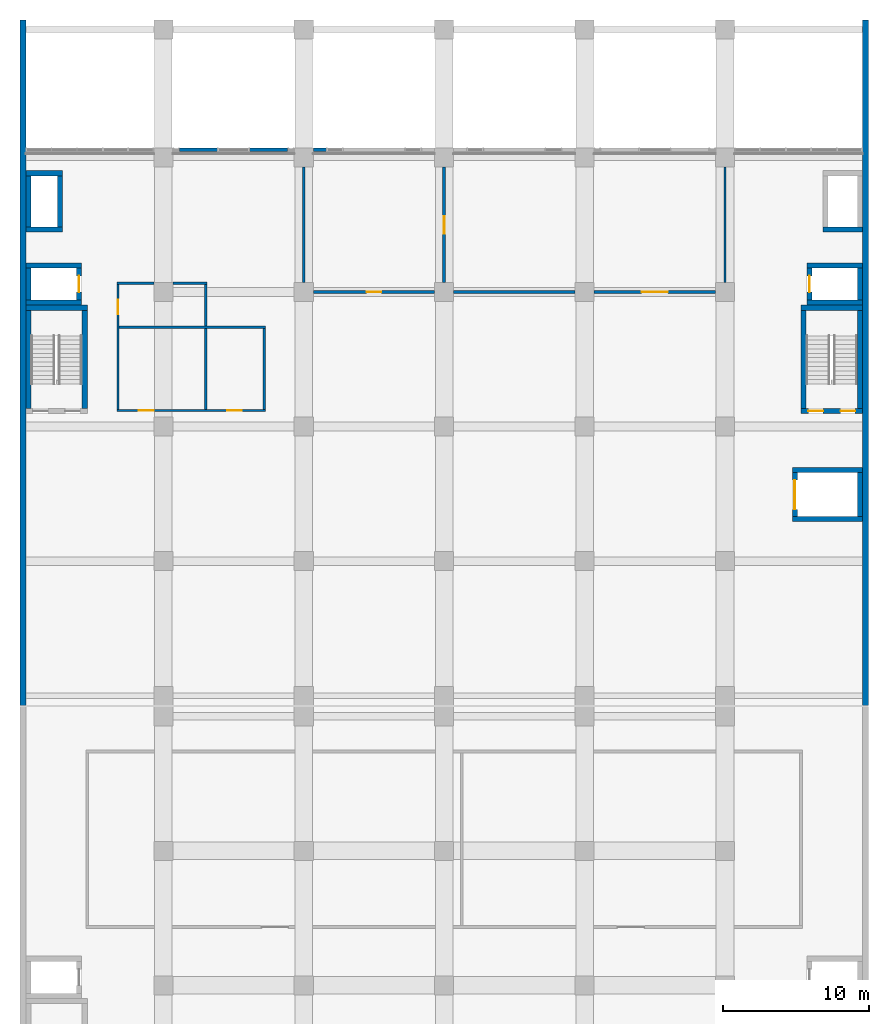
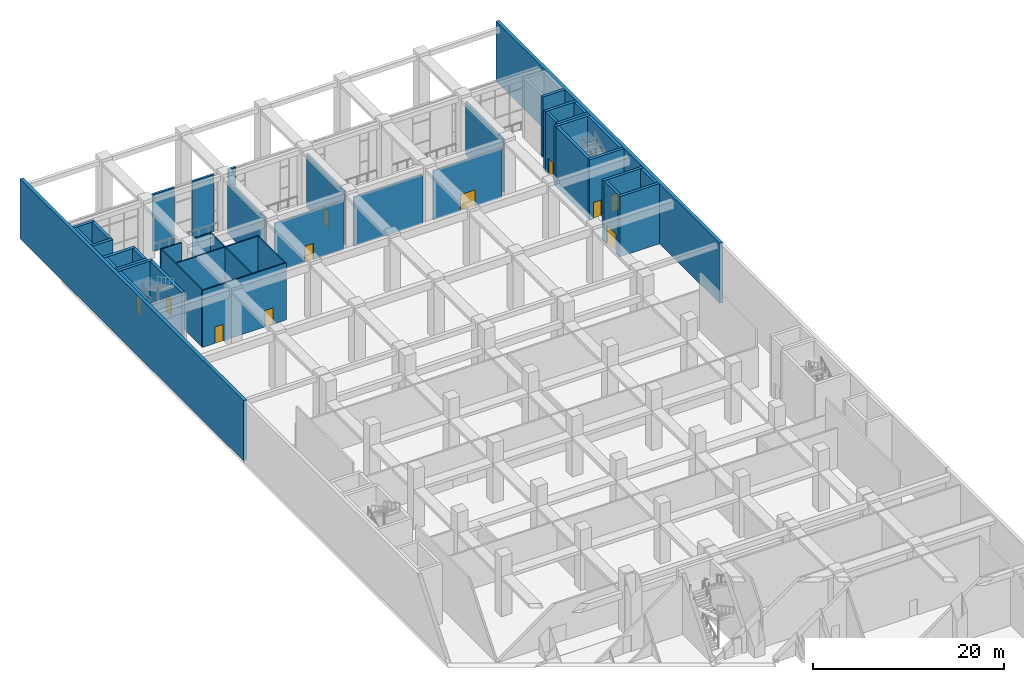
# One storey, part 16 of 33: 43 walls, 11 doors, 11 openings.
"""IFC4 building model written with IfcOpenShell, lengths in metres."""

import ifcopenshell
import ifcopenshell.guid

model = None  # the IFC model being written
_history = None  # IfcOwnerHistory: only IFC2X3 demands one
_inside = {}  # id of a spatial element -> (the spatial element, [elements in it])
_under = {}  # id of a project, library or spatial element -> (it, [spatial elements below it])
_declared = {}  # id of a project -> (the project, [libraries it declares])
_typed = {}  # id of a type object -> (the type object, [elements of that type])
_made_of = {}  # id of a material, layer set ... -> (it, [elements and type objects made of it])


def new_model(schema):
    """Start an empty IFC model of exactly this schema.

    Asked for "IFC4X3", IfcOpenShell would pick the latest addendum, in which some entities
    have other attributes; the version numbers below select the first issue.
    IFC2X3 requires an IfcOwnerHistory on every rooted entity: one is made here for all.
    """
    global model, _history
    if schema == "IFC4X3":
        model = ifcopenshell.file(schema_version=(4, 3, 0, 0))
    else:
        model = ifcopenshell.file(schema=schema)
    _inside.clear()
    _under.clear()
    _declared.clear()
    _typed.clear()
    _made_of.clear()
    _history = None
    if model.schema == "IFC2X3":
        org = make("IfcOrganization", Name="unknown")
        user = make(
            "IfcPersonAndOrganization",
            ThePerson=make("IfcPerson", FamilyName="unknown"),
            TheOrganization=org,
        )
        app = make(
            "IfcApplication",
            ApplicationDeveloper=org,
            Version="unknown",
            ApplicationFullName="unknown",
            ApplicationIdentifier="unknown",
        )
        _history = make(
            "IfcOwnerHistory",
            OwningUser=user,
            OwningApplication=app,
            ChangeAction="ADDED",
            CreationDate=0,
        )
    return model


def make(cls, **values):
    """One entity of the class cls with the attributes given. An attribute that is None is left unset."""
    return model.create_entity(
        cls, **{name: value for name, value in values.items() if value is not None}
    )


def rooted(cls, **values):
    """An entity with a GlobalId (a new one), such as an element, a storey or a relation."""
    return make(cls, GlobalId=ifcopenshell.guid.new(), OwnerHistory=_history, **values)


def si_unit(unit_type, name, prefix=None):
    """IfcSIUnit, for example si_unit("LENGTHUNIT", "METRE", prefix="MILLI")."""
    return make("IfcSIUnit", UnitType=unit_type, Prefix=prefix, Name=name)


def assignment(units):
    """IfcUnitAssignment: the units of a project."""
    return None if units is None else make("IfcUnitAssignment", Units=units)


def point(xyz):
    """IfcCartesianPoint."""
    return None if xyz is None else make("IfcCartesianPoint", Coordinates=xyz)


def direction(xyz):
    """IfcDirection."""
    return None if xyz is None else make("IfcDirection", DirectionRatios=xyz)


def frame(location, z_axis=None, x_axis=None):
    """IfcAxis2Placement3D, a coordinate frame: its origin and axes. An axis left out is left unset."""
    return make(
        "IfcAxis2Placement3D",
        Location=point(location),
        Axis=direction(z_axis),
        RefDirection=direction(x_axis),
    )


def frame_2d(location, x_axis=None):
    """IfcAxis2Placement2D, a coordinate frame in the plane: its origin and x axis."""
    return make(
        "IfcAxis2Placement2D", Location=point(location), RefDirection=direction(x_axis)
    )


def origin():
    """The frame at (0, 0, 0) with its axes left unset."""
    return frame((0.0, 0.0, 0.0))


def place(relative_to, where):
    """IfcLocalPlacement: puts the frame where relative to a parent placement (None: the world)."""
    return make(
        "IfcLocalPlacement", PlacementRelTo=relative_to, RelativePlacement=where
    )


def context(
    kind, dimensions, precision=None, world=None, true_north=None, identifier=None
):
    """IfcGeometricRepresentationContext, for example the 3D "Model" context."""
    return make(
        "IfcGeometricRepresentationContext",
        ContextIdentifier=identifier,
        ContextType=kind,
        CoordinateSpaceDimension=dimensions,
        Precision=precision,
        WorldCoordinateSystem=world,
        TrueNorth=true_north,
    )


def subcontext(parent, identifier, kind, view, scale=None):
    """IfcGeometricRepresentationSubContext, for example "Body" below "Model"."""
    return make(
        "IfcGeometricRepresentationSubContext",
        ContextIdentifier=identifier,
        ContextType=kind,
        ParentContext=parent,
        TargetScale=scale,
        TargetView=view,
    )


def project(units=None, contexts=None):
    """IfcProject with its units and contexts."""
    return rooted(
        "IfcProject",
        Name="project",
        RepresentationContexts=contexts,
        UnitsInContext=assignment(units),
    )


def spatial(cls, under=None, at=None, **own):
    """A site, building, storey or space (cls), placed at a placement, below another one or the project."""
    s = rooted(cls, ObjectPlacement=at, **own)
    if under is not None:
        _under.setdefault(under.id(), (under, []))[1].append(s)
    return s


def profile(cls, at=None, kind="AREA", **sizes):
    """A parametric profile (cls). Its sizes go by their IFC names, for example OverallWidth=200.0."""
    return make(cls, ProfileType=kind, Position=at, **sizes)


def rectangle(**sizes):
    """IfcRectangleProfileDef."""
    return profile("IfcRectangleProfileDef", **sizes)


def extrude(swept, where, along, depth):
    """IfcExtrudedAreaSolid: the profile swept, set in the frame where, extruded along a direction by depth."""
    return make(
        "IfcExtrudedAreaSolid",
        SweptArea=swept,
        Position=where,
        ExtrudedDirection=direction(along),
        Depth=depth,
    )


def shape(context_of_items, identifier, shape_type, items):
    """IfcShapeRepresentation: the items that make up one representation, for example the "Body"."""
    return make(
        "IfcShapeRepresentation",
        ContextOfItems=context_of_items,
        RepresentationIdentifier=identifier,
        RepresentationType=shape_type,
        Items=items,
    )


def material(Name=None, Category=None):
    """IfcMaterial."""
    return make("IfcMaterial", Name=Name, Category=Category)


def layer(
    of_material, thickness, ventilated=None, Name=None, Category=None, Priority=None
):
    """IfcMaterialLayer: one layer of a wall or slab, of a material (None: an air gap)."""
    return make(
        "IfcMaterialLayer",
        Material=of_material,
        LayerThickness=thickness,
        IsVentilated=ventilated,
        Name=Name,
        Category=Category,
        Priority=Priority,
    )


def layer_set(layers, Name=None):
    """IfcMaterialLayerSet."""
    return make("IfcMaterialLayerSet", MaterialLayers=layers, LayerSetName=Name)


def layer_usage(for_layer_set, set_direction, sense, offset, extent=None):
    """IfcMaterialLayerSetUsage: how a layer set lies in its element."""
    return make(
        "IfcMaterialLayerSetUsage",
        ForLayerSet=for_layer_set,
        LayerSetDirection=set_direction,
        DirectionSense=sense,
        OffsetFromReferenceLine=offset,
        ReferenceExtent=extent,
    )


def made_of(thing, what):
    """Note that an element or type object is made of a material, layer set ...; save() writes the relation."""
    if what is not None:
        _made_of.setdefault(what.id(), (what, []))[1].append(thing)
    return thing


def type_object(cls, material=None, **own):
    """A type object (cls), such as IfcWallType, which elements share."""
    return made_of(rooted(cls, **own), material)


def element(
    cls,
    number,
    at=None,
    inside=None,
    cuts=None,
    type_object=None,
    material=None,
    context=None,
    identifier="Body",
    shape_type=None,
    held_by="IfcProductDefinitionShape",
    body=None,
    shapes=None,
    **own,
):
    """One element of the class cls, such as IfcWall. Its Tag is "e" and its number.

    at: its placement. inside: the storey or other place that contains it. cuts: it is an
    opening in that element (IfcRelVoidsElement). A single representation is given by context,
    identifier, shape_type and body (its items); several are given by shapes. held_by: the class
    of the entity that holds the representations. save() writes the other relations.
    """
    e = rooted(cls, Tag="e%d" % number, ObjectPlacement=at, **own)
    if body is not None:
        shapes = [shape(context, identifier, shape_type, body)]
    if shapes is not None:
        e.Representation = make(held_by, Representations=shapes)
    if inside is not None:
        _inside.setdefault(inside.id(), (inside, []))[1].append(e)
    if cuts is not None:
        rooted(
            "IfcRelVoidsElement", RelatingBuildingElement=cuts, RelatedOpeningElement=e
        )
    if type_object is not None:
        _typed.setdefault(type_object.id(), (type_object, []))[1].append(e)
    return made_of(e, material)


def fill(opening, filler):
    """IfcRelFillsElement: the door or window that sits in an opening."""
    return rooted(
        "IfcRelFillsElement",
        RelatingOpeningElement=opening,
        RelatedBuildingElement=filler,
    )


def aggregate(whole, parts):
    """IfcRelAggregates: a whole, such as a stair, and the parts it consists of."""
    return rooted("IfcRelAggregates", RelatingObject=whole, RelatedObjects=parts)


def save(model, path):
    """Write the relations noted so far, then the file.

    IfcRelAggregates (storeys below a building ...), IfcRelContainedInSpatialStructure (elements
    in a storey), IfcRelDefinesByType, IfcRelAssociatesMaterial and IfcRelDeclares: one each for
    every whole, place, type object, material and project.
    """
    for whole, parts in _under.values():
        aggregate(whole, parts)
    for where, things in _inside.values():
        rooted(
            "IfcRelContainedInSpatialStructure",
            RelatedElements=things,
            RelatingStructure=where,
        )
    for kind, things in _typed.values():
        rooted("IfcRelDefinesByType", RelatedObjects=things, RelatingType=kind)
    for what, things in _made_of.values():
        rooted("IfcRelAssociatesMaterial", RelatedObjects=things, RelatingMaterial=what)
    for by, libraries in _declared.values():
        rooted("IfcRelDeclares", RelatingContext=by, RelatedDefinitions=libraries)
    model.write(path)


model = new_model("IFC4")

# Units and contexts
model_context = context("Model", 3, precision=1e-05, world=origin(), true_north=direction((0.0, 1.0)))
body_context = subcontext(model_context, "Body", "Model", "MODEL_VIEW")
ifc_project = project(units=[si_unit("LENGTHUNIT", "METRE"), si_unit("AREAUNIT", "SQUARE_METRE"), si_unit("VOLUMEUNIT", "CUBIC_METRE"), si_unit("PLANEANGLEUNIT", "RADIAN"), si_unit("MASSUNIT", "GRAM", prefix="KILO")], contexts=[model_context])

# Site, building, storey
site_placement = place(None, origin())
site = spatial("IfcSite", under=ifc_project, at=site_placement, CompositionType="ELEMENT")
building_placement = place(site_placement, origin())
building = spatial("IfcBuilding", under=site, at=building_placement, Name="Nzadi Deep Aquarium and Research Tower", CompositionType="ELEMENT")
storey_placement = place(building_placement, frame((0.0, 0.0, 6.5)))
storey = spatial("IfcBuildingStorey", under=building, at=storey_placement, Name="L01", CompositionType="ELEMENT", Elevation=6.5)

# Walls
ifc_material_1 = material(Name="Concrete C35/45", Category="concrete")
ifc_layer_1 = layer(ifc_material_1, 0.199951171875, Category="cladding")
ifc_material_2 = material(Name="Mineral wool insulation")
ifc_layer_2 = layer(ifc_material_2, 0.050048828125, Category="insulation")
ifc_layer_set_1 = layer_set([ifc_layer_1, ifc_layer_2], Name="Concrete C35/45, Mineral wool insulation")
ifc_layer_usage_1 = layer_usage(ifc_layer_set_1, "AXIS2", "POSITIVE", -0.125)
wall_type_1 = type_object("IfcWallType", Name="Entrance pier wall stone clad 250", PredefinedType="ELEMENTEDWALL", material=ifc_layer_set_1)
wall_1_placement = place(storey_placement, frame((13.300048828125, 132.125, 0.0), z_axis=(0.0, 0.0, 1.0), x_axis=(-1.0, 0.0, 0.0)))
element("IfcWall", 1, at=wall_1_placement, inside=storey, type_object=wall_type_1, material=ifc_layer_usage_1, Name="Entrance pier L01", PredefinedType="ELEMENTEDWALL", context=body_context, shape_type="SweptSolid", body=[
    extrude(rectangle(XDim=2.60009765625, YDim=0.25, at=frame_2d((1.300048828125, 0.0))), origin(), (0.0, 0.0, 1.0), 7.2900390625),
])
ifc_layer_usage_2 = layer_usage(ifc_layer_set_1, "AXIS2", "POSITIVE", -0.125)
wall_2_placement = place(storey_placement, frame((18.10009765625, 132.125, 0.0), z_axis=(0.0, 0.0, 1.0), x_axis=(-1.0, 0.0, 0.0)))
element("IfcWall", 2, at=wall_2_placement, inside=storey, type_object=wall_type_1, material=ifc_layer_usage_2, Name="Entrance pier L01", PredefinedType="ELEMENTEDWALL", context=body_context, shape_type="SweptSolid", body=[
    extrude(rectangle(XDim=2.60009765625, YDim=0.25, at=frame_2d((1.300048828125, 0.0))), origin(), (0.0, 0.0, 1.0), 7.2900390625),
])
ifc_material_3 = material(Name="Marine blue glazed ceramic")
ifc_layer_3 = layer(ifc_material_3, 0.050048828125, Category="cladding")
ifc_layer_4 = layer(ifc_material_1, 0.199951171875, Category="structure")
ifc_layer_set_2 = layer_set([ifc_layer_3, ifc_layer_4], Name="Marine blue glazed ceramic, Concrete C35/45")
ifc_layer_usage_3 = layer_usage(ifc_layer_set_2, "AXIS2", "POSITIVE", -0.125)
wall_type_2 = type_object("IfcWallType", Name="Entrance portal wall graphite shingle 250", PredefinedType="ELEMENTEDWALL", material=ifc_layer_set_2)
wall_3_placement = place(storey_placement, frame((20.75, 132.125, 0.0), z_axis=(0.0, 0.0, 1.0), x_axis=(-1.0, 0.0, 0.0)))
element("IfcWall", 3, at=wall_3_placement, inside=storey, type_object=wall_type_2, material=ifc_layer_usage_3, Name="Entrance pier L01", PredefinedType="ELEMENTEDWALL", context=body_context, shape_type="SweptSolid", body=[
    extrude(rectangle(XDim=0.89990234375, YDim=0.25, at=frame_2d((0.449951171875, 0.0))), origin(), (0.0, 0.0, 1.0), 7.2900390625),
])
ifc_material_4 = material(Name="Blockwork masonry", Category="masonry")
ifc_layer_5 = layer(ifc_material_4, 0.14990234375)
ifc_layer_set_3 = layer_set([ifc_layer_5], Name="Blockwork masonry")
wall_type_3 = type_object("IfcWallType", Name="Partition 150 EI 60, 6.89 m high", PredefinedType="PARTITIONING", material=ifc_layer_set_3)
wall_4_placement = place(storey_placement, frame((48.0, 123.050048828125, 0.0), z_axis=(0.0, 0.0, 1.0), x_axis=(0.0, 1.0, 0.0)))
element("IfcWall", 4, at=wall_4_placement, inside=storey, type_object=wall_type_3, Name="W-Z3-L01-P014", PredefinedType="PARTITIONING", context=body_context, shape_type="SweptSolid", body=[
    extrude(rectangle(XDim=7.89990234375, YDim=0.14990234375, at=frame_2d((3.949951171875, 0.0))), origin(), (0.0, 0.0, 1.0), 6.889892578125),
])

# Wall, openings, doors
ifc_material_5 = material(Name="Blockwork masonry", Category="masonry")
ifc_layer_6 = layer(ifc_material_5, 0.14990234375)
ifc_layer_set_4 = layer_set([ifc_layer_6], Name="Blockwork masonry")
wall_type_4 = type_object("IfcWallType", Name="Partition 150 EI 60, 7.29 m high", PredefinedType="PARTITIONING", material=ifc_layer_set_4)
wall_5_placement = place(storey_placement, frame((6.425048828125, 114.300048828125, 0.0), z_axis=(0.0, 0.0, 1.0), x_axis=(1.0, 0.0, 0.0)))
wall_5 = element("IfcWall", 5, at=wall_5_placement, inside=storey, type_object=wall_type_4, Name="W-Z3-L01-P001", PredefinedType="PARTITIONING", context=body_context, shape_type="SweptSolid", body=[
    extrude(rectangle(XDim=10.14990234375, YDim=0.14990234375, at=frame_2d((5.074951171875, 0.0))), origin(), (0.0, 0.0, 1.0), 7.2900390625),
])
opening_1_placement = place(wall_5_placement, frame((1.510009765625, 0.0, 0.0)))
opening_1 = element("IfcOpeningElement", 6, at=opening_1_placement, cuts=wall_5, Name="Opening D023001", PredefinedType="OPENING", context=body_context, shape_type="SweptSolid", body=[
    extrude(rectangle(XDim=1.0, YDim=2.10009765625, at=frame_2d((0.5, 1.050048828125))), frame((0.0, 0.0849609375, 0.0), z_axis=(0.0, -1.0, 0.0), x_axis=(1.0, 0.0, 0.0)), (0.0, 0.0, 1.0), 0.169921875),
])
opening_2_placement = place(wall_5_placement, frame((7.5400390625, 0.0, 0.0)))
opening_2 = element("IfcOpeningElement", 7, at=opening_2_placement, cuts=wall_5, Name="Opening D023002", PredefinedType="OPENING", context=body_context, shape_type="SweptSolid", body=[
    extrude(rectangle(XDim=1.0, YDim=2.10009765625, at=frame_2d((0.5, 1.050048828125))), frame((0.0, 0.0849609375, 0.0), z_axis=(0.0, -1.0, 0.0), x_axis=(1.0, 0.0, 0.0)), (0.0, 0.0, 1.0), 0.169921875),
])
ifc_material_6 = material(Name="Fire-rated steel door", Category="steel")
ifc_layer_7 = layer(ifc_material_6, 0.050048828125)
ifc_layer_set_5 = layer_set([ifc_layer_7], Name="Fire-rated steel door")
door_type_1 = type_object("IfcDoorType", Name="Door 1000x2100 EI 60 single", OperationType="SINGLE_SWING_LEFT", PredefinedType="DOOR", material=ifc_layer_set_5)
door_1_placement = place(opening_1_placement, origin())
door_1 = element("IfcDoor", 8, at=door_1_placement, inside=storey, type_object=door_type_1, Name="D023001", OperationType="SINGLE_SWING_LEFT", OverallHeight=2.10009765625, OverallWidth=1.0, PredefinedType="DOOR", context=body_context, shape_type="SweptSolid", body=[
    extrude(rectangle(XDim=1.0, YDim=2.10009765625, at=frame_2d((0.5, 1.050048828125))), frame((0.0, 0.02490234375, 0.0), z_axis=(0.0, -1.0, 0.0), x_axis=(1.0, 0.0, 0.0)), (0.0, 0.0, 1.0), 0.050048828125),
])
fill(opening_1, door_1)
door_2_placement = place(opening_2_placement, origin())
door_2 = element("IfcDoor", 9, at=door_2_placement, inside=storey, type_object=door_type_1, Name="D023002", OperationType="SINGLE_SWING_RIGHT", OverallHeight=2.10009765625, OverallWidth=1.0, PredefinedType="DOOR", context=body_context, shape_type="SweptSolid", body=[
    extrude(rectangle(XDim=1.0, YDim=2.10009765625, at=frame_2d((0.5, 1.050048828125))), frame((0.0, 0.02490234375, 0.0), z_axis=(0.0, -1.0, 0.0), x_axis=(1.0, 0.0, 0.0)), (0.0, 0.0, 1.0), 0.050048828125),
])
fill(opening_2, door_2)

# Wall, opening, door
wall_6_placement = place(storey_placement, frame((6.5, 114.375, 0.0), z_axis=(0.0, 0.0, 1.0), x_axis=(0.0, 1.0, 0.0)))
wall_6 = element("IfcWall", 10, at=wall_6_placement, inside=storey, type_object=wall_type_4, Name="W-Z3-L01-P002", PredefinedType="PARTITIONING", context=body_context, shape_type="SweptSolid", body=[
    extrude(rectangle(XDim=8.550048828125, YDim=0.14990234375, at=frame_2d((4.27490234375, 0.0))), origin(), (0.0, 0.0, 1.0), 7.2900390625),
])
opening_3_placement = place(wall_6_placement, frame((6.514892578125, 0.0, 0.0)))
opening_3 = element("IfcOpeningElement", 11, at=opening_3_placement, cuts=wall_6, Name="Opening D023003", PredefinedType="OPENING", context=body_context, shape_type="SweptSolid", body=[
    extrude(rectangle(XDim=1.0, YDim=2.10009765625, at=frame_2d((0.5, 1.050048828125))), frame((0.0, 0.0849609375, 0.0), z_axis=(0.0, -1.0, 0.0), x_axis=(1.0, 0.0, 0.0)), (0.0, 0.0, 1.0), 0.169921875),
])
door_3_placement = place(opening_3_placement, origin())
door_3 = element("IfcDoor", 12, at=door_3_placement, inside=storey, type_object=door_type_1, Name="D023003", OperationType="SINGLE_SWING_LEFT", OverallHeight=2.10009765625, OverallWidth=1.0, PredefinedType="DOOR", context=body_context, shape_type="SweptSolid", body=[
    extrude(rectangle(XDim=1.0, YDim=2.10009765625, at=frame_2d((0.5, 1.050048828125))), frame((0.0, 0.02490234375, 0.0), z_axis=(0.0, -1.0, 0.0), x_axis=(1.0, 0.0, 0.0)), (0.0, 0.0, 1.0), 0.050048828125),
])
fill(opening_3, door_3)

# Walls
wall_7_placement = place(storey_placement, frame((6.425048828125, 123.0, 0.0), z_axis=(0.0, 0.0, 1.0), x_axis=(1.0, 0.0, 0.0)))
element("IfcWall", 13, at=wall_7_placement, inside=storey, type_object=wall_type_4, Name="W-Z3-L01-P003", PredefinedType="PARTITIONING", context=body_context, shape_type="SweptSolid", body=[
    extrude(rectangle(XDim=2.52490234375, YDim=0.14990234375, at=frame_2d((1.262451171875, 0.0))), origin(), (0.0, 0.0, 1.0), 7.2900390625),
])
wall_8_placement = place(storey_placement, frame((6.574951171875, 120.0, 0.0), z_axis=(0.0, 0.0, 1.0), x_axis=(1.0, 0.0, 0.0)))
element("IfcWall", 14, at=wall_8_placement, inside=storey, type_object=wall_type_4, Name="W-Z3-L01-P004", PredefinedType="PARTITIONING", context=body_context, shape_type="SweptSolid", body=[
    extrude(rectangle(XDim=10.0, YDim=0.14990234375, at=frame_2d((5.0, 0.0))), origin(), (0.0, 0.0, 1.0), 7.2900390625),
])
wall_9_placement = place(storey_placement, frame((10.25, 123.0, 0.0), z_axis=(0.0, 0.0, 1.0), x_axis=(1.0, 0.0, 0.0)))
element("IfcWall", 15, at=wall_9_placement, inside=storey, type_object=wall_type_4, Name="W-Z3-L01-P005", PredefinedType="PARTITIONING", context=body_context, shape_type="SweptSolid", body=[
    extrude(rectangle(XDim=2.324951171875, YDim=0.14990234375, at=frame_2d((1.16259765625, 0.0))), origin(), (0.0, 0.0, 1.0), 7.2900390625),
])
wall_10_placement = place(storey_placement, frame((12.5, 114.375, 0.0), z_axis=(0.0, 0.0, 1.0), x_axis=(0.0, 1.0, 0.0)))
element("IfcWall", 16, at=wall_10_placement, inside=storey, type_object=wall_type_4, Name="W-Z3-L01-P006", PredefinedType="PARTITIONING", context=body_context, shape_type="SweptSolid", body=[
    extrude(rectangle(XDim=5.550048828125, YDim=0.14990234375, at=frame_2d((2.77490234375, 0.0))), origin(), (0.0, 0.0, 1.0), 7.2900390625),
])
wall_11_placement = place(storey_placement, frame((12.5, 120.074951171875, 0.0), z_axis=(0.0, 0.0, 1.0), x_axis=(0.0, 1.0, 0.0)))
element("IfcWall", 17, at=wall_11_placement, inside=storey, type_object=wall_type_4, Name="W-Z3-L01-P007", PredefinedType="PARTITIONING", context=body_context, shape_type="SweptSolid", body=[
    extrude(rectangle(XDim=2.85009765625, YDim=0.14990234375, at=frame_2d((1.425048828125, 0.0))), origin(), (0.0, 0.0, 1.0), 7.2900390625),
])
wall_12_placement = place(storey_placement, frame((16.5, 114.375, 0.0), z_axis=(0.0, 0.0, 1.0), x_axis=(0.0, 1.0, 0.0)))
element("IfcWall", 18, at=wall_12_placement, inside=storey, type_object=wall_type_4, Name="W-Z3-L01-P008", PredefinedType="PARTITIONING", context=body_context, shape_type="SweptSolid", body=[
    extrude(rectangle(XDim=5.550048828125, YDim=0.14990234375, at=frame_2d((2.77490234375, 0.0))), origin(), (0.0, 0.0, 1.0), 7.2900390625),
])

# Wall, opening, door
ifc_material_7 = material(Name="Blockwork masonry", Category="masonry")
ifc_layer_8 = layer(ifc_material_7, 0.199951171875)
ifc_layer_set_6 = layer_set([ifc_layer_8], Name="Blockwork masonry")
wall_type_5 = type_object("IfcWallType", Name="Partition 200 EI 120, 6.29 m high", PredefinedType="PARTITIONING", material=ifc_layer_set_6)
wall_13_placement = place(storey_placement, frame((19.85009765625, 122.39990234375, 0.0), z_axis=(0.0, 0.0, 1.0), x_axis=(1.0, 0.0, 0.0)))
wall_13 = element("IfcWall", 19, at=wall_13_placement, inside=storey, type_object=wall_type_5, Name="W-Z3-L01-P010", PredefinedType="PARTITIONING", context=body_context, shape_type="SweptSolid", body=[
    extrude(rectangle(XDim=8.2998046875, YDim=0.199951171875, at=frame_2d((4.14990234375, 0.0))), origin(), (0.0, 0.0, 1.0), 6.2900390625),
])
opening_4_placement = place(wall_13_placement, frame((3.64990234375, 0.0, 0.0)))
opening_4 = element("IfcOpeningElement", 20, at=opening_4_placement, cuts=wall_13, Name="Opening D023006", PredefinedType="OPENING", context=body_context, shape_type="SweptSolid", body=[
    extrude(rectangle(XDim=1.0, YDim=2.10009765625, at=frame_2d((0.5, 1.050048828125))), frame((0.0, 0.110107421875, 0.0), z_axis=(0.0, -1.0, 0.0), x_axis=(1.0, 0.0, 0.0)), (0.0, 0.0, 1.0), 0.22021484375),
])
ifc_material_8 = material(Name="Fire-rated steel door", Category="steel")
ifc_layer_9 = layer(ifc_material_8, 0.050048828125)
ifc_layer_set_7 = layer_set([ifc_layer_9], Name="Fire-rated steel door")
door_type_2 = type_object("IfcDoorType", Name="Door 1000x2100 EI 120 single", OperationType="SINGLE_SWING_LEFT", PredefinedType="DOOR", material=ifc_layer_set_7)
door_4_placement = place(opening_4_placement, origin())
door_4 = element("IfcDoor", 21, at=door_4_placement, inside=storey, type_object=door_type_2, Name="D023006", OperationType="SINGLE_SWING_LEFT", OverallHeight=2.10009765625, OverallWidth=1.0, PredefinedType="DOOR", context=body_context, shape_type="SweptSolid", body=[
    extrude(rectangle(XDim=1.0, YDim=2.10009765625, at=frame_2d((0.5, 1.050048828125))), frame((0.0, 0.02490234375, 0.0), z_axis=(0.0, -1.0, 0.0), x_axis=(1.0, 0.0, 0.0)), (0.0, 0.0, 1.0), 0.050048828125),
])
fill(opening_4, door_4)

# Wall
wall_14_placement = place(storey_placement, frame((29.449951171875, 122.39990234375, 0.0), z_axis=(0.0, 0.0, 1.0), x_axis=(1.0, 0.0, 0.0)))
element("IfcWall", 22, at=wall_14_placement, inside=storey, type_object=wall_type_5, Name="W-Z3-L01-P012", PredefinedType="PARTITIONING", context=body_context, shape_type="SweptSolid", body=[
    extrude(rectangle(XDim=8.300048828125, YDim=0.199951171875, at=frame_2d((4.14990234375, 0.0))), origin(), (0.0, 0.0, 1.0), 6.2900390625),
])

# Wall, opening, door
wall_15_placement = place(storey_placement, frame((39.050048828125, 122.39990234375, 0.0), z_axis=(0.0, 0.0, 1.0), x_axis=(1.0, 0.0, 0.0)))
wall_15 = element("IfcWall", 23, at=wall_15_placement, inside=storey, type_object=wall_type_5, Name="W-Z3-L01-P013", PredefinedType="PARTITIONING", context=body_context, shape_type="SweptSolid", body=[
    extrude(rectangle(XDim=8.300048828125, YDim=0.199951171875, at=frame_2d((4.14990234375, 0.0))), origin(), (0.0, 0.0, 1.0), 6.2900390625),
])
opening_5_placement = place(wall_15_placement, frame((3.25, 0.0, 0.0)))
opening_5 = element("IfcOpeningElement", 24, at=opening_5_placement, cuts=wall_15, Name="Opening D023004", PredefinedType="OPENING", context=body_context, shape_type="SweptSolid", body=[
    extrude(rectangle(XDim=1.800048828125, YDim=2.10009765625, at=frame_2d((0.89990234375, 1.050048828125))), frame((0.0, 0.110107421875, 0.0), z_axis=(0.0, -1.0, 0.0), x_axis=(1.0, 0.0, 0.0)), (0.0, 0.0, 1.0), 0.22021484375),
])
ifc_material_9 = material(Name="Fire-rated steel door", Category="steel")
ifc_layer_10 = layer(ifc_material_9, 0.050048828125)
ifc_layer_set_8 = layer_set([ifc_layer_10], Name="Fire-rated steel door")
door_type_3 = type_object("IfcDoorType", Name="Door 1800x2100 EI 120 double", OperationType="DOUBLE_DOOR_SINGLE_SWING", PredefinedType="DOOR", material=ifc_layer_set_8)
door_5_placement = place(opening_5_placement, origin())
door_5 = element("IfcDoor", 25, at=door_5_placement, inside=storey, type_object=door_type_3, Name="D023004", OperationType="DOUBLE_DOOR_SINGLE_SWING", OverallHeight=2.10009765625, OverallWidth=1.800048828125, PredefinedType="DOOR", context=body_context, shape_type="SweptSolid", body=[
    extrude(rectangle(XDim=1.800048828125, YDim=2.10009765625, at=frame_2d((0.89990234375, 1.050048828125))), frame((0.0, 0.02490234375, 0.0), z_axis=(0.0, -1.0, 0.0), x_axis=(1.0, 0.0, 0.0)), (0.0, 0.0, 1.0), 0.050048828125),
])
fill(opening_5, door_5)

# Wall
ifc_material_10 = material(Name="Blockwork masonry", Category="masonry")
ifc_layer_11 = layer(ifc_material_10, 0.199951171875)
ifc_layer_set_9 = layer_set([ifc_layer_11], Name="Blockwork masonry")
wall_type_6 = type_object("IfcWallType", Name="Partition 200 EI 120, 6.89 m high", PredefinedType="PARTITIONING", material=ifc_layer_set_9)
wall_16_placement = place(storey_placement, frame((19.199951171875, 123.050048828125, 0.0), z_axis=(0.0, 0.0, 1.0), x_axis=(0.0, 1.0, 0.0)))
element("IfcWall", 26, at=wall_16_placement, inside=storey, type_object=wall_type_6, Name="W-Z3-L01-P009", PredefinedType="PARTITIONING", context=body_context, shape_type="SweptSolid", body=[
    extrude(rectangle(XDim=7.89990234375, YDim=0.199951171875, at=frame_2d((3.949951171875, 0.0))), origin(), (0.0, 0.0, 1.0), 6.889892578125),
])

# Wall, opening, door
wall_17_placement = place(storey_placement, frame((28.800048828125, 123.050048828125, 0.0), z_axis=(0.0, 0.0, 1.0), x_axis=(0.0, 1.0, 0.0)))
wall_17 = element("IfcWall", 27, at=wall_17_placement, inside=storey, type_object=wall_type_6, Name="W-Z3-L01-P011", PredefinedType="PARTITIONING", context=body_context, shape_type="SweptSolid", body=[
    extrude(rectangle(XDim=7.89990234375, YDim=0.199951171875, at=frame_2d((3.949951171875, 0.0))), origin(), (0.0, 0.0, 1.0), 6.889892578125),
])
opening_6_placement = place(wall_17_placement, frame((3.35009765625, 0.0, 0.0)))
opening_6 = element("IfcOpeningElement", 28, at=opening_6_placement, cuts=wall_17, Name="Opening D023005", PredefinedType="OPENING", context=body_context, shape_type="SweptSolid", body=[
    extrude(rectangle(XDim=1.199951171875, YDim=2.10009765625, at=frame_2d((0.60009765625, 1.050048828125))), frame((0.0, 0.110107421875, 0.0), z_axis=(0.0, -1.0, 0.0), x_axis=(1.0, 0.0, 0.0)), (0.0, 0.0, 1.0), 0.22021484375),
])
ifc_material_11 = material(Name="Fire-rated steel door", Category="steel")
ifc_layer_12 = layer(ifc_material_11, 0.050048828125)
ifc_layer_set_10 = layer_set([ifc_layer_12], Name="Fire-rated steel door")
door_type_4 = type_object("IfcDoorType", Name="Door 1200x2100 EI 120 single", OperationType="SINGLE_SWING_LEFT", PredefinedType="DOOR", material=ifc_layer_set_10)
door_6_placement = place(opening_6_placement, origin())
door_6 = element("IfcDoor", 29, at=door_6_placement, inside=storey, type_object=door_type_4, Name="D023005", OperationType="SINGLE_SWING_LEFT", OverallHeight=2.10009765625, OverallWidth=1.199951171875, PredefinedType="DOOR", context=body_context, shape_type="SweptSolid", body=[
    extrude(rectangle(XDim=1.199951171875, YDim=2.10009765625, at=frame_2d((0.60009765625, 1.050048828125))), frame((0.0, 0.02490234375, 0.0), z_axis=(0.0, -1.0, 0.0), x_axis=(1.0, 0.0, 0.0)), (0.0, 0.0, 1.0), 0.050048828125),
])
fill(opening_6, door_6)

# Walls
ifc_material_12 = material(Name="Concrete C35/45", Category="concrete")
ifc_layer_13 = layer(ifc_material_12, 0.35009765625)
ifc_layer_set_11 = layer_set([ifc_layer_13], Name="Concrete C35/45")
wall_type_7 = type_object("IfcWallType", Name="RC core wall 350, 7.50 to 7.70 m high", PredefinedType="SHEAR", material=ifc_layer_set_11)
wall_18_placement = place(storey_placement, frame((0.199951171875, 121.324951171875, 0.0), z_axis=(0.0, 0.0, 1.0), x_axis=(1.0, 0.0, 0.0)))
element("IfcWall", 30, at=wall_18_placement, inside=storey, type_object=wall_type_7, Name="W-CORE-ST-Z3-W-L01-N", PredefinedType="SHEAR", context=body_context, shape_type="SweptSolid", body=[
    extrude(rectangle(XDim=4.199951171875, YDim=0.35009765625, at=frame_2d((2.10009765625, 0.0))), origin(), (0.0, 0.0, 1.0), 7.699951171875),
])
for number, where, z_axis, x_axis, name in (
    (31, (0.375, 114.449951171875, 0.0), (0.0, 0.0, 1.0), (0.0, 1.0, 0.0), "W-CORE-ST-Z3-W-L01-W"),
    (32, (4.22509765625, 114.449951171875, 0.0), (0.0, 0.0, 1.0), (0.0, 1.0, 0.0), "W-CORE-ST-Z3-W-L01-E"),
):
    element("IfcWall", number, at=place(storey_placement, frame(where, z_axis=z_axis, x_axis=x_axis)), inside=storey, type_object=wall_type_7, Name=name, PredefinedType="SHEAR", context=body_context, shape_type="SweptSolid", body=[
        extrude(rectangle(XDim=6.699951171875, YDim=0.35009765625, at=frame_2d((3.35009765625, 0.0))), origin(), (0.0, 0.0, 1.0), 7.699951171875),
    ])

# Wall, openings, doors
wall_19_placement = place(storey_placement, frame((53.199951171875, 114.27490234375, 0.0), z_axis=(0.0, 0.0, 1.0), x_axis=(1.0, 0.0, 0.0)))
wall_19 = element("IfcWall", 33, at=wall_19_placement, inside=storey, type_object=wall_type_7, Name="W-CORE-ST-Z3-E-L01-S", PredefinedType="SHEAR", context=body_context, shape_type="SweptSolid", body=[
    extrude(rectangle(XDim=4.199951171875, YDim=0.35009765625, at=frame_2d((2.10009765625, 0.0))), origin(), (0.0, 0.0, 1.0), 7.699951171875),
])
opening_7_placement = place(wall_19_placement, frame((0.5, 0.0, 0.0)))
opening_7 = element("IfcOpeningElement", 34, at=opening_7_placement, cuts=wall_19, Name="Opening DS-Z3-E-L01A", PredefinedType="OPENING", context=body_context, shape_type="SweptSolid", body=[
    extrude(rectangle(XDim=1.0, YDim=2.10009765625, at=frame_2d((0.5, 1.050048828125))), frame((0.0, 0.18505859375, 0.0), z_axis=(0.0, -1.0, 0.0), x_axis=(1.0, 0.0, 0.0)), (0.0, 0.0, 1.0), 0.3701171875),
])
opening_8_placement = place(wall_19_placement, frame((2.699951171875, 0.0, 0.0)))
opening_8 = element("IfcOpeningElement", 35, at=opening_8_placement, cuts=wall_19, Name="Opening DS-Z3-E-L01B", PredefinedType="OPENING", context=body_context, shape_type="SweptSolid", body=[
    extrude(rectangle(XDim=1.0, YDim=2.10009765625, at=frame_2d((0.5, 1.050048828125))), frame((0.0, 0.18505859375, 0.0), z_axis=(0.0, -1.0, 0.0), x_axis=(1.0, 0.0, 0.0)), (0.0, 0.0, 1.0), 0.3701171875),
])
ifc_material_13 = material(Name="Steel, powder coated", Category="steel")
door_type_5 = type_object("IfcDoorType", Name="STAIR DOOR 1000x2100 EI 60", OperationType="SINGLE_SWING_LEFT", PredefinedType="DOOR", material=ifc_material_13)
door_7_placement = place(opening_7_placement, origin())
door_7 = element("IfcDoor", 36, at=door_7_placement, inside=storey, type_object=door_type_5, Name="Stair door ST-Z3-E L01 A", OperationType="SINGLE_SWING_RIGHT", OverallHeight=2.10009765625, OverallWidth=1.0, PredefinedType="DOOR", context=body_context, shape_type="SweptSolid", body=[
    extrude(rectangle(XDim=1.0, YDim=2.10009765625, at=frame_2d((0.5, 1.050048828125))), frame((0.0, 0.02490234375, 0.0), z_axis=(0.0, -1.0, 0.0), x_axis=(1.0, 0.0, 0.0)), (0.0, 0.0, 1.0), 0.050048828125),
])
fill(opening_7, door_7)
door_8_placement = place(opening_8_placement, origin())
door_8 = element("IfcDoor", 37, at=door_8_placement, inside=storey, type_object=door_type_5, Name="Stair door ST-Z3-E L01 B", OperationType="SINGLE_SWING_LEFT", OverallHeight=2.10009765625, OverallWidth=1.0, PredefinedType="DOOR", context=body_context, shape_type="SweptSolid", body=[
    extrude(rectangle(XDim=1.0, YDim=2.10009765625, at=frame_2d((0.5, 1.050048828125))), frame((0.0, 0.02490234375, 0.0), z_axis=(0.0, -1.0, 0.0), x_axis=(1.0, 0.0, 0.0)), (0.0, 0.0, 1.0), 0.050048828125),
])
fill(opening_8, door_8)

# Walls
wall_20_placement = place(storey_placement, frame((53.199951171875, 121.324951171875, 0.0), z_axis=(0.0, 0.0, 1.0), x_axis=(1.0, 0.0, 0.0)))
element("IfcWall", 38, at=wall_20_placement, inside=storey, type_object=wall_type_7, Name="W-CORE-ST-Z3-E-L01-N", PredefinedType="SHEAR", context=body_context, shape_type="SweptSolid", body=[
    extrude(rectangle(XDim=4.199951171875, YDim=0.35009765625, at=frame_2d((2.10009765625, 0.0))), origin(), (0.0, 0.0, 1.0), 7.699951171875),
])
for number, where, z_axis, x_axis, name in (
    (39, (53.375, 114.449951171875, 0.0), (0.0, 0.0, 1.0), (0.0, 1.0, 0.0), "W-CORE-ST-Z3-E-L01-W"),
    (40, (57.22509765625, 114.449951171875, 0.0), (0.0, 0.0, 1.0), (0.0, 1.0, 0.0), "W-CORE-ST-Z3-E-L01-E"),
):
    element("IfcWall", number, at=place(storey_placement, frame(where, z_axis=z_axis, x_axis=x_axis)), inside=storey, type_object=wall_type_7, Name=name, PredefinedType="SHEAR", context=body_context, shape_type="SweptSolid", body=[
        extrude(rectangle(XDim=6.699951171875, YDim=0.35009765625, at=frame_2d((3.35009765625, 0.0))), origin(), (0.0, 0.0, 1.0), 7.699951171875),
    ])
for number, where, z_axis, x_axis, name in (
    (41, (0.199951171875, 121.675048828125, 0.0), (0.0, 0.0, 1.0), (1.0, 0.0, 0.0), "W-CORE-PL5-L01-S"),
    (42, (0.199951171875, 124.22509765625, 0.0), (0.0, 0.0, 1.0), (1.0, 0.0, 0.0), "W-CORE-PL5-L01-N"),
):
    element("IfcWall", number, at=place(storey_placement, frame(where, z_axis=z_axis, x_axis=x_axis)), inside=storey, type_object=wall_type_7, Name=name, PredefinedType="SHEAR", context=body_context, shape_type="SweptSolid", body=[
        extrude(rectangle(XDim=3.800048828125, YDim=0.35009765625, at=frame_2d((1.89990234375, 0.0))), origin(), (0.0, 0.0, 1.0), 7.699951171875),
    ])
wall_21_placement = place(storey_placement, frame((0.375, 121.85009765625, 0.0), z_axis=(0.0, 0.0, 1.0), x_axis=(0.0, 1.0, 0.0)))
element("IfcWall", 43, at=wall_21_placement, inside=storey, type_object=wall_type_7, Name="W-CORE-PL5-L01-W", PredefinedType="SHEAR", context=body_context, shape_type="SweptSolid", body=[
    extrude(rectangle(XDim=2.199951171875, YDim=0.35009765625, at=frame_2d((1.10009765625, 0.0))), origin(), (0.0, 0.0, 1.0), 7.699951171875),
])

# Wall, opening, door
wall_22_placement = place(storey_placement, frame((3.824951171875, 121.85009765625, 0.0), z_axis=(0.0, 0.0, 1.0), x_axis=(0.0, 1.0, 0.0)))
wall_22 = element("IfcWall", 44, at=wall_22_placement, inside=storey, type_object=wall_type_7, Name="W-CORE-PL5-L01-E", PredefinedType="SHEAR", context=body_context, shape_type="SweptSolid", body=[
    extrude(rectangle(XDim=2.199951171875, YDim=0.35009765625, at=frame_2d((1.10009765625, 0.0))), origin(), (0.0, 0.0, 1.0), 7.699951171875),
])
opening_9_placement = place(wall_22_placement, frame((0.550048828125, 0.0, 0.0)))
opening_9 = element("IfcOpeningElement", 45, at=opening_9_placement, cuts=wall_22, Name="Opening LD-PL5-L01", PredefinedType="OPENING", context=body_context, shape_type="SweptSolid", body=[
    extrude(rectangle(XDim=1.10009765625, YDim=2.10009765625, at=frame_2d((0.550048828125, 1.050048828125))), frame((0.0, 0.18505859375, 0.0), z_axis=(0.0, -1.0, 0.0), x_axis=(1.0, 0.0, 0.0)), (0.0, 0.0, 1.0), 0.3701171875),
])
ifc_material_14 = material(Name="Stainless steel 1.4301", Category="steel")
door_type_6 = type_object("IfcDoorType", Name="LANDING DOOR 1100x2100", OperationType="DOUBLE_DOOR_SLIDING", PredefinedType="DOOR", material=ifc_material_14)
door_9_placement = place(opening_9_placement, origin())
door_9 = element("IfcDoor", 46, at=door_9_placement, inside=storey, type_object=door_type_6, Name="Landing door PL5 L01", OperationType="DOUBLE_DOOR_SLIDING", OverallHeight=2.10009765625, OverallWidth=1.10009765625, PredefinedType="DOOR", context=body_context, shape_type="SweptSolid", body=[
    extrude(rectangle(XDim=1.10009765625, YDim=2.10009765625, at=frame_2d((0.550048828125, 1.050048828125))), frame((0.0, 0.02490234375, 0.0), z_axis=(0.0, -1.0, 0.0), x_axis=(1.0, 0.0, 0.0)), (0.0, 0.0, 1.0), 0.050048828125),
])
fill(opening_9, door_9)

# Walls
for number, where, z_axis, x_axis, name in (
    (47, (53.60009765625, 121.675048828125, 0.0), (0.0, 0.0, 1.0), (1.0, 0.0, 0.0), "W-CORE-PL6-L01-S"),
    (48, (53.60009765625, 124.22509765625, 0.0), (0.0, 0.0, 1.0), (1.0, 0.0, 0.0), "W-CORE-PL6-L01-N"),
):
    element("IfcWall", number, at=place(storey_placement, frame(where, z_axis=z_axis, x_axis=x_axis)), inside=storey, type_object=wall_type_7, Name=name, PredefinedType="SHEAR", context=body_context, shape_type="SweptSolid", body=[
        extrude(rectangle(XDim=3.7998046875, YDim=0.35009765625, at=frame_2d((1.89990234375, 0.0))), origin(), (0.0, 0.0, 1.0), 7.699951171875),
    ])

# Wall, opening, door
wall_23_placement = place(storey_placement, frame((53.77490234375, 121.85009765625, 0.0), z_axis=(0.0, 0.0, 1.0), x_axis=(0.0, 1.0, 0.0)))
wall_23 = element("IfcWall", 49, at=wall_23_placement, inside=storey, type_object=wall_type_7, Name="W-CORE-PL6-L01-W", PredefinedType="SHEAR", context=body_context, shape_type="SweptSolid", body=[
    extrude(rectangle(XDim=2.199951171875, YDim=0.35009765625, at=frame_2d((1.10009765625, 0.0))), origin(), (0.0, 0.0, 1.0), 7.699951171875),
])
opening_10_placement = place(wall_23_placement, frame((0.550048828125, 0.0, 0.0)))
opening_10 = element("IfcOpeningElement", 50, at=opening_10_placement, cuts=wall_23, Name="Opening LD-PL6-L01", PredefinedType="OPENING", context=body_context, shape_type="SweptSolid", body=[
    extrude(rectangle(XDim=1.10009765625, YDim=2.10009765625, at=frame_2d((0.550048828125, 1.050048828125))), frame((0.0, 0.18505859375, 0.0), z_axis=(0.0, -1.0, 0.0), x_axis=(1.0, 0.0, 0.0)), (0.0, 0.0, 1.0), 0.3701171875),
])
door_10_placement = place(opening_10_placement, origin())
door_10 = element("IfcDoor", 51, at=door_10_placement, inside=storey, type_object=door_type_6, Name="Landing door PL6 L01", OperationType="DOUBLE_DOOR_SLIDING", OverallHeight=2.10009765625, OverallWidth=1.10009765625, PredefinedType="DOOR", context=body_context, shape_type="SweptSolid", body=[
    extrude(rectangle(XDim=1.10009765625, YDim=2.10009765625, at=frame_2d((0.550048828125, 1.050048828125))), frame((0.0, 0.02490234375, 0.0), z_axis=(0.0, -1.0, 0.0), x_axis=(1.0, 0.0, 0.0)), (0.0, 0.0, 1.0), 0.050048828125),
])
fill(opening_10, door_10)

# Walls
wall_24_placement = place(storey_placement, frame((57.22509765625, 121.85009765625, 0.0), z_axis=(0.0, 0.0, 1.0), x_axis=(0.0, 1.0, 0.0)))
element("IfcWall", 52, at=wall_24_placement, inside=storey, type_object=wall_type_7, Name="W-CORE-PL6-L01-E", PredefinedType="SHEAR", context=body_context, shape_type="SweptSolid", body=[
    extrude(rectangle(XDim=2.199951171875, YDim=0.35009765625, at=frame_2d((1.10009765625, 0.0))), origin(), (0.0, 0.0, 1.0), 7.699951171875),
])
for number, where, z_axis, x_axis, name in (
    (53, (52.60009765625, 106.875, 0.0), (0.0, 0.0, 1.0), (1.0, 0.0, 0.0), "W-CORE-GL2-L01-S"),
    (54, (52.60009765625, 110.22509765625, 0.0), (0.0, 0.0, 1.0), (1.0, 0.0, 0.0), "W-CORE-GL2-L01-N"),
):
    element("IfcWall", number, at=place(storey_placement, frame(where, z_axis=z_axis, x_axis=x_axis)), inside=storey, type_object=wall_type_7, Name=name, PredefinedType="SHEAR", context=body_context, shape_type="SweptSolid", body=[
        extrude(rectangle(XDim=4.7998046875, YDim=0.35009765625, at=frame_2d((2.39990234375, 0.0))), origin(), (0.0, 0.0, 1.0), 7.699951171875),
    ])

# Wall, opening, door
wall_25_placement = place(storey_placement, frame((52.77490234375, 107.050048828125, 0.0), z_axis=(0.0, 0.0, 1.0), x_axis=(0.0, 1.0, 0.0)))
wall_25 = element("IfcWall", 55, at=wall_25_placement, inside=storey, type_object=wall_type_7, Name="W-CORE-GL2-L01-W", PredefinedType="SHEAR", context=body_context, shape_type="SweptSolid", body=[
    extrude(rectangle(XDim=3.0, YDim=0.35009765625, at=frame_2d((1.5, 0.0))), origin(), (0.0, 0.0, 1.0), 7.699951171875),
])
opening_11_placement = place(wall_25_placement, frame((0.5, 0.0, 0.0)))
opening_11 = element("IfcOpeningElement", 56, at=opening_11_placement, cuts=wall_25, Name="Opening LD-GL2-L01", PredefinedType="OPENING", context=body_context, shape_type="SweptSolid", body=[
    extrude(rectangle(XDim=2.0, YDim=2.39990234375, at=frame_2d((1.0, 1.199951171875))), frame((0.0, 0.18505859375, 0.0), z_axis=(0.0, -1.0, 0.0), x_axis=(1.0, 0.0, 0.0)), (0.0, 0.0, 1.0), 0.3701171875),
])
ifc_material_15 = material(Name="Stainless steel 1.4301", Category="steel")
door_type_7 = type_object("IfcDoorType", Name="LANDING DOOR 2000x2400", OperationType="DOUBLE_DOOR_SLIDING", PredefinedType="DOOR", material=ifc_material_15)
door_11_placement = place(opening_11_placement, origin())
door_11 = element("IfcDoor", 57, at=door_11_placement, inside=storey, type_object=door_type_7, Name="Landing door GL2 L01", OperationType="DOUBLE_DOOR_SLIDING", OverallHeight=2.39990234375, OverallWidth=2.0, PredefinedType="DOOR", context=body_context, shape_type="SweptSolid", body=[
    extrude(rectangle(XDim=2.0, YDim=2.39990234375, at=frame_2d((1.0, 1.199951171875))), frame((0.0, 0.02490234375, 0.0), z_axis=(0.0, -1.0, 0.0), x_axis=(1.0, 0.0, 0.0)), (0.0, 0.0, 1.0), 0.050048828125),
])
fill(opening_11, door_11)

# Walls
wall_26_placement = place(storey_placement, frame((57.22509765625, 107.050048828125, 0.0), z_axis=(0.0, 0.0, 1.0), x_axis=(0.0, 1.0, 0.0)))
element("IfcWall", 58, at=wall_26_placement, inside=storey, type_object=wall_type_7, Name="W-CORE-GL2-L01-E", PredefinedType="SHEAR", context=body_context, shape_type="SweptSolid", body=[
    extrude(rectangle(XDim=3.0, YDim=0.35009765625, at=frame_2d((1.5, 0.0))), origin(), (0.0, 0.0, 1.0), 7.699951171875),
])
for number, where, z_axis, x_axis, name in (
    (59, (0.199951171875, 126.675048828125, 0.0), (0.0, 0.0, 1.0), (1.0, 0.0, 0.0), "W-CORE-RS-Z3-W-L01-S"),
    (60, (0.199951171875, 130.52490234375, 0.0), (0.0, 0.0, 1.0), (1.0, 0.0, 0.0), "W-CORE-RS-Z3-W-L01-N"),
):
    element("IfcWall", number, at=place(storey_placement, frame(where, z_axis=z_axis, x_axis=x_axis)), inside=storey, type_object=wall_type_7, Name=name, PredefinedType="SHEAR", context=body_context, shape_type="SweptSolid", body=[
        extrude(rectangle(XDim=2.5, YDim=0.35009765625, at=frame_2d((1.25, 0.0))), origin(), (0.0, 0.0, 1.0), 7.699951171875),
    ])
for number, where, z_axis, x_axis, name in (
    (61, (0.375, 126.85009765625, 0.0), (0.0, 0.0, 1.0), (0.0, 1.0, 0.0), "W-CORE-RS-Z3-W-L01-W"),
    (62, (2.52490234375, 126.85009765625, 0.0), (0.0, 0.0, 1.0), (0.0, 1.0, 0.0), "W-CORE-RS-Z3-W-L01-E"),
):
    element("IfcWall", number, at=place(storey_placement, frame(where, z_axis=z_axis, x_axis=x_axis)), inside=storey, type_object=wall_type_7, Name=name, PredefinedType="SHEAR", context=body_context, shape_type="SweptSolid", body=[
        extrude(rectangle(XDim=3.5, YDim=0.35009765625, at=frame_2d((1.75, 0.0))), origin(), (0.0, 0.0, 1.0), 7.699951171875),
    ])
wall_27_placement = place(storey_placement, frame((54.699951171875, 126.675048828125, 0.0), z_axis=(0.0, 0.0, 1.0), x_axis=(1.0, 0.0, 0.0)))
element("IfcWall", 63, at=wall_27_placement, inside=storey, type_object=wall_type_7, Name="W-CORE-RS-Z3-E-L01-S", PredefinedType="SHEAR", context=body_context, shape_type="SweptSolid", body=[
    extrude(rectangle(XDim=2.699951171875, YDim=0.35009765625, at=frame_2d((1.35009765625, 0.0))), origin(), (0.0, 0.0, 1.0), 7.699951171875),
])
ifc_material_16 = material(Name="Concrete C35/45", Category="concrete")
ifc_layer_14 = layer(ifc_material_16, 0.39990234375)
ifc_layer_set_12 = layer_set([ifc_layer_14], Name="Concrete C35/45")
wall_type_8 = type_object("IfcWallType", Name="RC party wall 400, 7.50 to 7.70 m high", PredefinedType="SHEAR", material=ifc_layer_set_12)
for number, where, z_axis, x_axis, name in (
    (64, (0.00048828125, 94.1201171875, 0.0), (0.0, 0.0, 1.0), (0.0, 1.0, 0.0), "W-PTY-Z3-L01-W"),
    (65, (57.599609375, 94.1201171875, 0.0), (0.0, 0.0, 1.0), (0.0, 1.0, 0.0), "W-PTY-Z3-L01-E"),
):
    element("IfcWall", number, at=place(storey_placement, frame(where, z_axis=z_axis, x_axis=x_axis)), inside=storey, type_object=wall_type_8, Name=name, PredefinedType="SHEAR", context=body_context, shape_type="SweptSolid", body=[
        extrude(rectangle(XDim=46.8798828125, YDim=0.39990234375, at=frame_2d((23.43994140625, 0.0))), origin(), (0.0, 0.0, 1.0), 7.699951171875),
    ])

save(model, "model.ifc")
